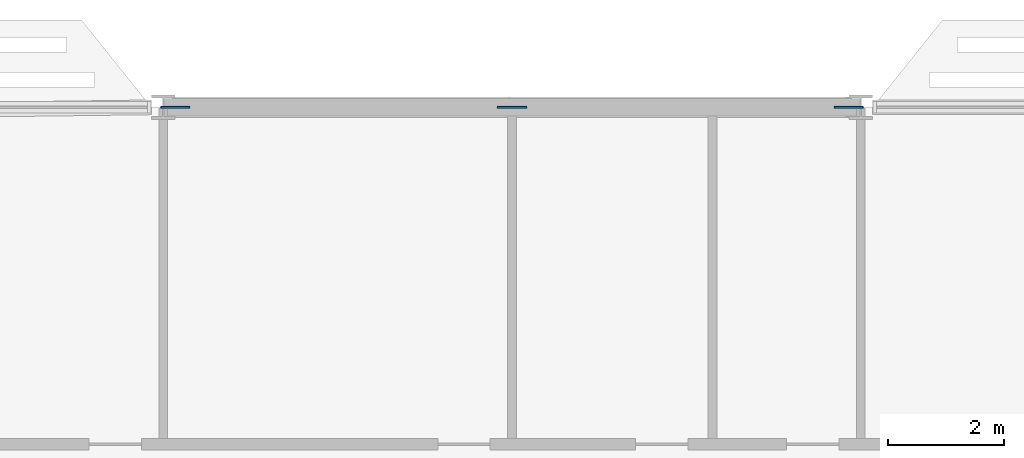
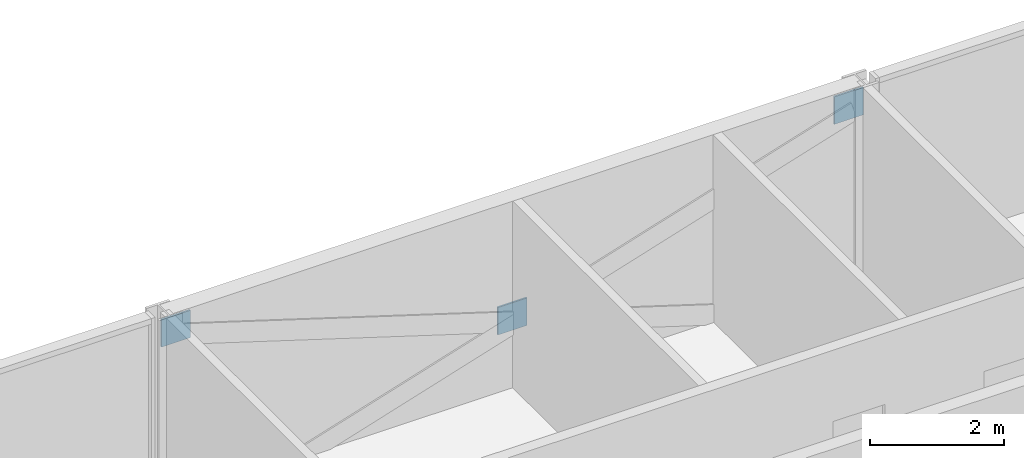
# One storey, part 20 of 28: 3 discrete accessories.
"""IFC4 building model written with IfcOpenShell, lengths in metres."""

from ifc_helpers import new_model, si_unit, direction, frame, origin, origin_2d, place, context, subcontext, project, spatial, rectangle, extrude, material, layer, layer_set, type_object, element, save


model = new_model("IFC4")

# Units and contexts
model_context = context("Model", 3, precision=1e-05, world=origin(), true_north=direction((0.0, 1.0)))
body_context = subcontext(model_context, "Body", "Model", "MODEL_VIEW")
ifc_project = project(units=[si_unit("LENGTHUNIT", "METRE"), si_unit("AREAUNIT", "SQUARE_METRE"), si_unit("VOLUMEUNIT", "CUBIC_METRE"), si_unit("PLANEANGLEUNIT", "RADIAN"), si_unit("MASSUNIT", "GRAM", prefix="KILO")], contexts=[model_context])

# Site, building, storey
site_placement = place(None, origin())
site = spatial("IfcSite", under=ifc_project, at=site_placement, CompositionType="ELEMENT")
building_placement = place(site_placement, origin())
building = spatial("IfcBuilding", under=site, at=building_placement, Name="Mahtab Terrace Research Tower", CompositionType="ELEMENT")
storey_placement = place(building_placement, frame((0.0, 0.0, 185.800048828125)))
storey = spatial("IfcBuildingStorey", under=building, at=storey_placement, Name="L44", CompositionType="ELEMENT", Elevation=185.800048828125)

# Discrete accessories
ifc_material = material(Name="Steel ASTM A992 Gr 50", Category="steel")
ifc_layer = layer(ifc_material, 0.030029296875)
ifc_layer_set = layer_set([ifc_layer], Name="Gusset plate 500x500x30")
discrete_accessory_type = type_object("IfcDiscreteAccessoryType", Name="Gusset plate 500x500x30", PredefinedType="USERDEFINED", material=ifc_layer_set)
for number, where, z_axis, x_axis, name in (
    (1, (-29.796875, 23.0, 2.74755859375), (0.0, 0.0, 1.0), (1.0, 0.0, 0.0), "Gusset plate"),
    (2, (-24.0, 23.0, 0.94091796875), (0.0, 0.0, 1.0), (1.0, 0.0, 0.0), "Gusset plate"),
    (3, (-18.203125, 23.0, 2.74755859375), (0.0, 0.0, 1.0), (1.0, 0.0, 0.0), "Gusset plate"),
):
    element("IfcDiscreteAccessory", number, at=place(storey_placement, frame(where, z_axis=z_axis, x_axis=x_axis)), inside=storey, type_object=discrete_accessory_type, Name=name, ObjectType="GUSSET PLATE", PredefinedType="USERDEFINED", context=body_context, shape_type="SweptSolid", body=[
        extrude(rectangle(XDim=0.5, YDim=0.030029296875, at=origin_2d()), origin(), (0.0, 0.0, 1.0), 0.5),
    ])

save(model, "model.ifc")
